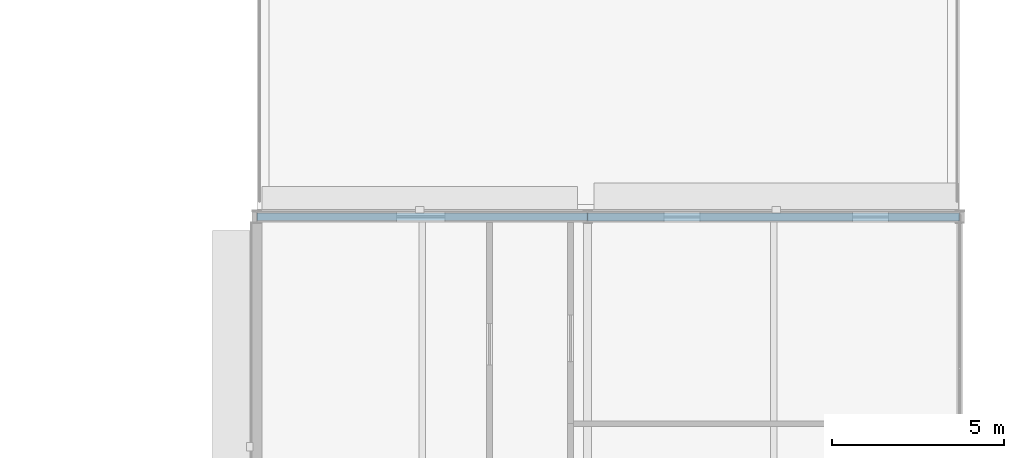
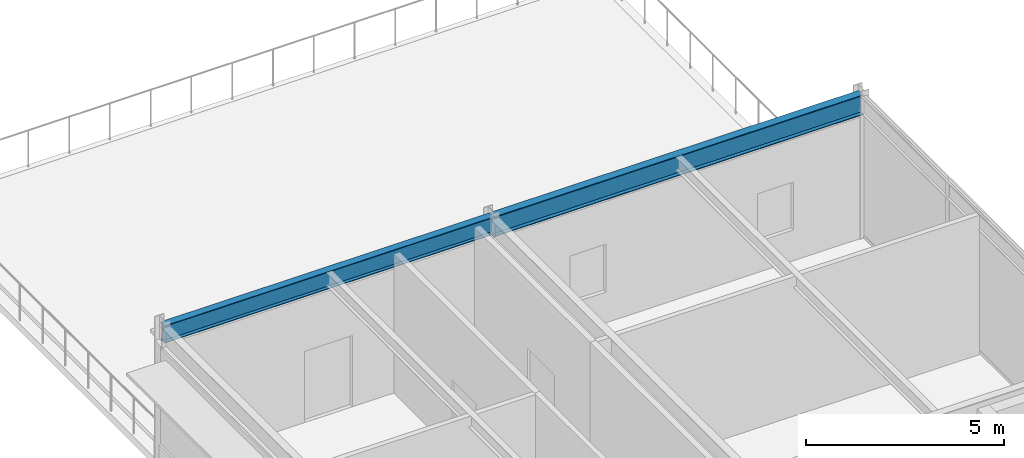
# One storey, part 10 of 22: 2 beams.
"""IFC4 building model written with IfcOpenShell, lengths in metres."""

from ifc_helpers import new_model, si_unit, direction, frame, origin, origin_2d, place, context, subcontext, project, spatial, i_section, extrude, material, material_profile, profile_set, type_object, element, save


model = new_model("IFC4")

# Units and contexts
model_context = context("Model", 3, precision=1e-05, world=origin(), true_north=direction((0.0, 1.0)))
body_context = subcontext(model_context, "Body", "Model", "MODEL_VIEW")
ifc_project = project(units=[si_unit("LENGTHUNIT", "METRE"), si_unit("AREAUNIT", "SQUARE_METRE"), si_unit("VOLUMEUNIT", "CUBIC_METRE"), si_unit("PLANEANGLEUNIT", "RADIAN"), si_unit("MASSUNIT", "GRAM", prefix="KILO")], contexts=[model_context])

# Site, building, storey
site_placement = place(None, origin())
site = spatial("IfcSite", under=ifc_project, at=site_placement, CompositionType="ELEMENT")
building_placement = place(site_placement, origin())
building = spatial("IfcBuilding", under=site, at=building_placement, Name="Almandine Court Research Institute", CompositionType="ELEMENT")
storey_placement = place(building_placement, frame((0.0, 0.0, 28.0)))
storey = spatial("IfcBuildingStorey", under=building, at=storey_placement, Name="L06", CompositionType="ELEMENT", Elevation=28.0)

# Beams
ifc_material = material(Name="Steel ASTM A992 Grade 50", Category="steel")
ifc_material_profile_1 = material_profile(ifc_material, i_section(OverallWidth=0.22998046875, OverallDepth=0.616943359375, WebThickness=0.012939453125, FlangeThickness=0.02197265625, at=origin_2d()), Name="W610x140")
ifc_profile_set_1 = profile_set([ifc_material_profile_1], Name="Steel ASTM A992 Grade 50")
beam_type_1 = type_object("IfcBeamType", Name="Beam-G-02", PredefinedType="BEAM", material=ifc_profile_set_1)
beam_1_placement = place(storey_placement, frame((163.199951171875, 70.800048828125, 4.075927734375), z_axis=(1.0, 0.0, 0.0), x_axis=(0.0, 1.0, 0.0)))
element("IfcBeam", 1, at=beam_1_placement, inside=storey, type_object=beam_type_1, Name="L06 V4 Primary X Girder", PredefinedType="BEAM", context=body_context, shape_type="SweptSolid", body=[
    extrude(i_section(OverallWidth=0.22998046875, OverallDepth=0.616943359375, WebThickness=0.012939453125, FlangeThickness=0.02197265625, at=origin_2d()), origin(), (0.0, 0.0, 1.0), 10.800048828125),
])
ifc_material_profile_2 = material_profile(ifc_material, i_section(OverallWidth=0.2109375, OverallDepth=0.5390625, WebThickness=0.011962890625, FlangeThickness=0.01904296875, at=origin_2d()), Name="W530x109")
ifc_profile_set_2 = profile_set([ifc_material_profile_2], Name="Steel ASTM A992 Grade 50")
beam_type_2 = type_object("IfcBeamType", Name="Beam-G-04", PredefinedType="BEAM", material=ifc_profile_set_2)
beam_2_placement = place(storey_placement, frame((153.60009765625, 70.800048828125, 4.114990234375), z_axis=(1.0, 0.0, 0.0), x_axis=(0.0, 1.0, 0.0)))
element("IfcBeam", 2, at=beam_2_placement, inside=storey, type_object=beam_type_2, Name="L06 V4 Primary X Girder", PredefinedType="BEAM", context=body_context, shape_type="SweptSolid", body=[
    extrude(i_section(OverallWidth=0.2109375, OverallDepth=0.5390625, WebThickness=0.011962890625, FlangeThickness=0.01904296875, at=origin_2d()), origin(), (0.0, 0.0, 1.0), 9.599853515625),
])

save(model, "model.ifc")
